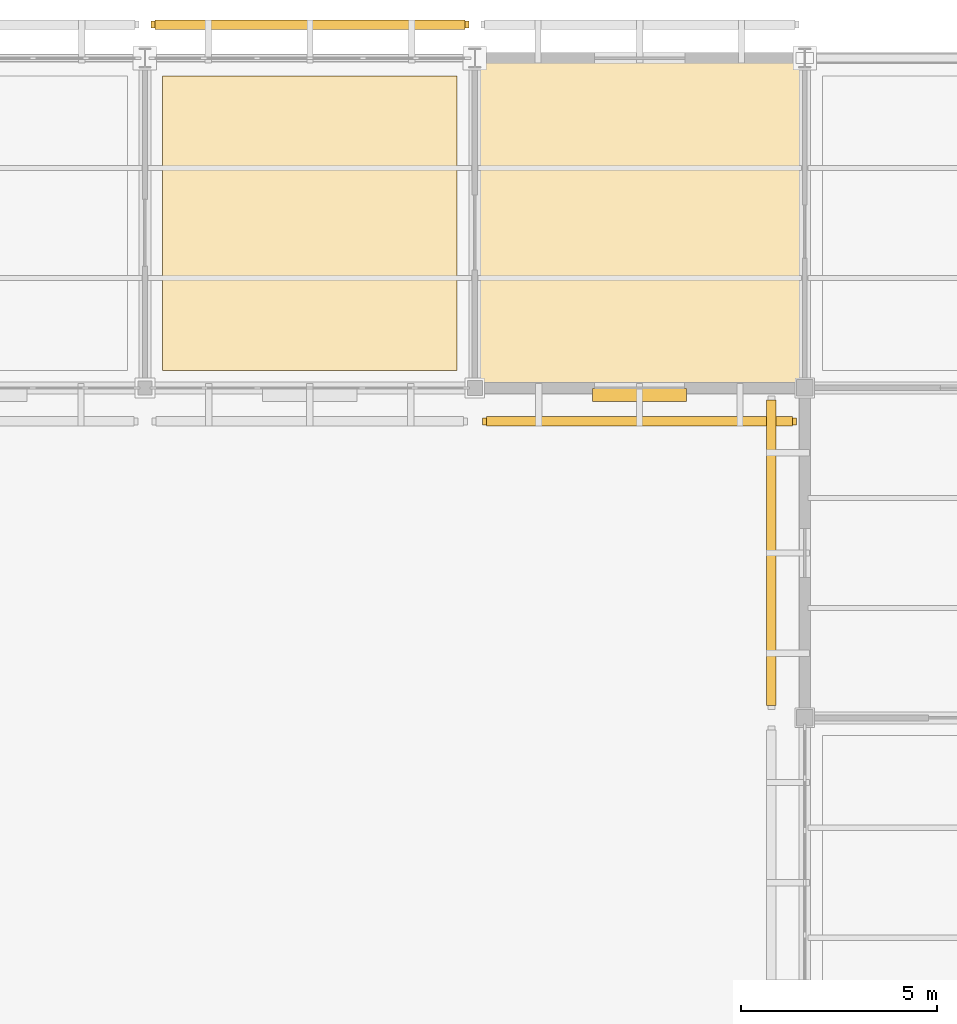
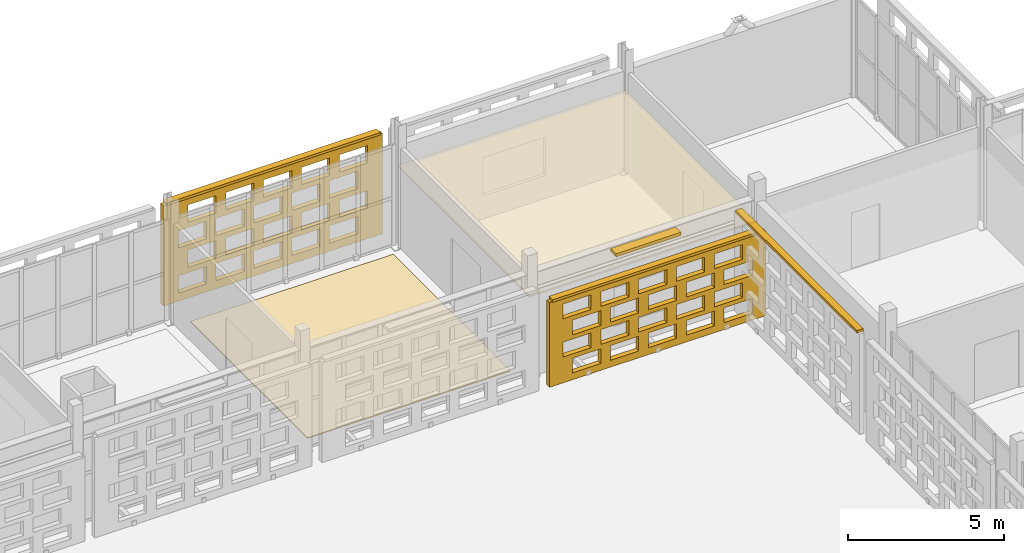
# One storey, part 181 of 203: 4 coverings, 4 shading devices, 40 openings.
"""IFC4 building model written with IfcOpenShell, lengths in metres."""

from ifc_helpers import new_model, si_unit, direction, frame, frame_2d, origin, origin_2d, place, context, subcontext, project, spatial, rectangle, extrude, material, layer, layer_set, type_object, element, save


model = new_model("IFC4")

# Units and contexts
model_context = context("Model", 3, precision=1e-05, world=origin(), true_north=direction((0.0, 1.0)))
body_context = subcontext(model_context, "Body", "Model", "MODEL_VIEW")
ifc_project = project(units=[si_unit("LENGTHUNIT", "METRE"), si_unit("AREAUNIT", "SQUARE_METRE"), si_unit("VOLUMEUNIT", "CUBIC_METRE"), si_unit("PLANEANGLEUNIT", "RADIAN"), si_unit("MASSUNIT", "GRAM", prefix="KILO")], contexts=[model_context])

# Site, building, storey
site_placement = place(None, origin())
site = spatial("IfcSite", under=ifc_project, at=site_placement, CompositionType="ELEMENT")
building_placement = place(site_placement, origin())
building = spatial("IfcBuilding", under=site, at=building_placement, Name="Varnapada Polytechnic", CompositionType="ELEMENT")
storey_placement = place(building_placement, frame((0.0, 0.0, 4.800048828125)))
storey = spatial("IfcBuildingStorey", under=building, at=storey_placement, Name="L01", CompositionType="ELEMENT", Elevation=4.800048828125)

# Covering
ifc_material_1 = material(Name="Acoustic Rubber Seminar Flooring")
ifc_layer_1 = layer(ifc_material_1, 0.0400390625)
ifc_layer_set_1 = layer_set([ifc_layer_1], Name="Acoustic Rubber Seminar Flooring")
covering_type_1 = type_object("IfcCoveringType", Name="Floor Finish FLR-06", PredefinedType="FLOORING", material=ifc_layer_set_1)
covering_1_placement = place(storey_placement, frame((113.39990234375, 121.800048828125, 0.0), z_axis=(0.0, 0.0, 1.0), x_axis=(1.0, 0.0, 0.0)))
element("IfcCovering", 1, at=covering_1_placement, inside=storey, type_object=covering_type_1, Name="L01 floor finish panel (14,15)", PredefinedType="FLOORING", context=body_context, shape_type="SweptSolid", body=[
    extrude(rectangle(XDim=7.5, YDim=7.5, at=origin_2d()), origin(), (0.0, 0.0, 1.0), 0.0400390625),
])

# Shading device
ifc_material_2 = material(Name="Anodised aluminium", Category="aluminium")
ifc_layer_2 = layer(ifc_material_2, 0.35009765625)
ifc_layer_set_2 = layer_set([ifc_layer_2], Name="Anodised aluminium")
shading_device_type_1 = type_object("IfcShadingDeviceType", Name="Solar Louvre LVR-01", PredefinedType="JALOUSIE", material=ifc_layer_set_2)
shading_device_1_placement = place(storey_placement, frame((121.7900390625, 117.419921875, 3.760009765625), z_axis=(0.0, 0.0, 1.0), x_axis=(-1.0, 0.0, 0.0)))
element("IfcShadingDevice", 2, at=shading_device_1_placement, inside=storey, type_object=shading_device_type_1, Name="L01 aluminium sun louvre 100", PredefinedType="JALOUSIE", context=body_context, shape_type="SweptSolid", body=[
    extrude(rectangle(XDim=2.39990234375, YDim=0.340087890625, at=origin_2d()), origin(), (0.0, 0.0, 1.0), 0.1201171875),
])

# Covering
ifc_material_3 = material(Name="Deep Acoustic Auditorium Cloud Baffle")
ifc_layer_3 = layer(ifc_material_3, 0.06494140625)
ifc_layer_set_3 = layer_set([ifc_layer_3], Name="Deep Acoustic Auditorium Cloud Baffle")
covering_type_2 = type_object("IfcCoveringType", Name="Suspended Ceiling CLG-07", PredefinedType="CEILING", material=ifc_layer_set_3)
covering_2_placement = place(storey_placement, frame((121.800048828125, 121.800048828125, 3.017578125), z_axis=(0.0, 0.0, 1.0), x_axis=(1.0, 0.0, 0.0)))
element("IfcCovering", 3, at=covering_2_placement, inside=storey, type_object=covering_type_2, Name="L01 suspended acoustic ceiling (15,15)", PredefinedType="CEILING", context=body_context, shape_type="SweptSolid", body=[
    extrude(rectangle(XDim=8.419921875, YDim=8.419921875, at=origin_2d()), origin(), (0.0, 0.0, 1.0), 0.06494140625),
])

# Covering, openings
ifc_material_4 = material(Name="Earth-toned architectural terracotta screen block", Category="masonry")
ifc_layer_4 = layer(ifc_material_4, 0.1201171875)
ifc_layer_set_4 = layer_set([ifc_layer_4], Name="Earth-toned architectural terracotta screen block")
covering_type_3 = type_object("IfcCoveringType", Name="Terracotta Screen Cladding CLD-01", PredefinedType="CLADDING", material=ifc_layer_set_4)
covering_3_placement = place(storey_placement, frame((109.35009765625, 126.85009765625, 0.0), z_axis=(0.0, 0.0, 1.0), x_axis=(1.0, 0.0, 0.0)))
covering_3 = element("IfcCovering", 4, at=covering_3_placement, inside=storey, type_object=covering_type_3, Name="L01 perforated terracotta block screen (95)", PredefinedType="CLADDING", context=body_context, shape_type="SweptSolid", body=[
    extrude(rectangle(XDim=8.099853515625, YDim=0.179931640625, at=frame_2d((4.0498046875, 0.0))), origin(), (0.0, 0.0, 1.0), 3.919921875),
])
opening_1_placement = place(covering_3_placement, frame((0.550048828125, 0.0, 0.313720703125)))
element("IfcOpeningElement", 5, at=opening_1_placement, cuts=covering_3, Name="Screen perforation TBS-L01-094.1", PredefinedType="OPENING", context=body_context, shape_type="SweptSolid", body=[
    extrude(rectangle(XDim=1.0400390625, YDim=0.679931640625, at=frame_2d((0.52001953125, 0.33984375))), frame((0.0, 0.099853515625, 0.0), z_axis=(0.0, -1.0, 0.0), x_axis=(1.0, 0.0, 0.0)), (0.0, 0.0, 1.0), 0.199951171875),
])
opening_2_placement = place(covering_3_placement, frame((1.949951171875, 0.0, 0.313720703125)))
element("IfcOpeningElement", 6, at=opening_2_placement, cuts=covering_3, Name="Screen perforation TBS-L01-094.2", PredefinedType="OPENING", context=body_context, shape_type="SweptSolid", body=[
    extrude(rectangle(XDim=1.0400390625, YDim=0.679931640625, at=frame_2d((0.52001953125, 0.33984375))), frame((0.0, 0.099853515625, 0.0), z_axis=(0.0, -1.0, 0.0), x_axis=(1.0, 0.0, 0.0)), (0.0, 0.0, 1.0), 0.199951171875),
])
opening_3_placement = place(covering_3_placement, frame((3.35009765625, 0.0, 0.313720703125)))
element("IfcOpeningElement", 7, at=opening_3_placement, cuts=covering_3, Name="Screen perforation TBS-L01-094.3", PredefinedType="OPENING", context=body_context, shape_type="SweptSolid", body=[
    extrude(rectangle(XDim=1.0400390625, YDim=0.679931640625, at=frame_2d((0.52001953125, 0.33984375))), frame((0.0, 0.099853515625, 0.0), z_axis=(0.0, -1.0, 0.0), x_axis=(1.0, 0.0, 0.0)), (0.0, 0.0, 1.0), 0.199951171875),
])
opening_4_placement = place(covering_3_placement, frame((4.75, 0.0, 0.313720703125)))
element("IfcOpeningElement", 8, at=opening_4_placement, cuts=covering_3, Name="Screen perforation TBS-L01-094.4", PredefinedType="OPENING", context=body_context, shape_type="SweptSolid", body=[
    extrude(rectangle(XDim=1.0400390625, YDim=0.679931640625, at=frame_2d((0.52001953125, 0.33984375))), frame((0.0, 0.099853515625, 0.0), z_axis=(0.0, -1.0, 0.0), x_axis=(1.0, 0.0, 0.0)), (0.0, 0.0, 1.0), 0.199951171875),
])
opening_5_placement = place(covering_3_placement, frame((6.14990234375, 0.0, 0.313720703125)))
element("IfcOpeningElement", 9, at=opening_5_placement, cuts=covering_3, Name="Screen perforation TBS-L01-094.5", PredefinedType="OPENING", context=body_context, shape_type="SweptSolid", body=[
    extrude(rectangle(XDim=1.0400390625, YDim=0.679931640625, at=frame_2d((0.52001953125, 0.33984375))), frame((0.0, 0.099853515625, 0.0), z_axis=(0.0, -1.0, 0.0), x_axis=(1.0, 0.0, 0.0)), (0.0, 0.0, 1.0), 0.199951171875),
])
opening_6_placement = place(covering_3_placement, frame((0.909912109375, 0.0, 1.195556640625)))
element("IfcOpeningElement", 10, at=opening_6_placement, cuts=covering_3, Name="Screen perforation TBS-L01-094.6", PredefinedType="OPENING", context=body_context, shape_type="SweptSolid", body=[
    extrude(rectangle(XDim=1.0400390625, YDim=0.679931640625, at=frame_2d((0.52001953125, 0.33984375))), frame((0.0, 0.099853515625, 0.0), z_axis=(0.0, -1.0, 0.0), x_axis=(1.0, 0.0, 0.0)), (0.0, 0.0, 1.0), 0.199951171875),
])
opening_7_placement = place(covering_3_placement, frame((2.31005859375, 0.0, 1.195556640625)))
element("IfcOpeningElement", 11, at=opening_7_placement, cuts=covering_3, Name="Screen perforation TBS-L01-094.7", PredefinedType="OPENING", context=body_context, shape_type="SweptSolid", body=[
    extrude(rectangle(XDim=1.0400390625, YDim=0.679931640625, at=frame_2d((0.52001953125, 0.33984375))), frame((0.0, 0.099853515625, 0.0), z_axis=(0.0, -1.0, 0.0), x_axis=(1.0, 0.0, 0.0)), (0.0, 0.0, 1.0), 0.199951171875),
])
opening_8_placement = place(covering_3_placement, frame((3.7099609375, 0.0, 1.195556640625)))
element("IfcOpeningElement", 12, at=opening_8_placement, cuts=covering_3, Name="Screen perforation TBS-L01-094.8", PredefinedType="OPENING", context=body_context, shape_type="SweptSolid", body=[
    extrude(rectangle(XDim=1.0400390625, YDim=0.679931640625, at=frame_2d((0.52001953125, 0.33984375))), frame((0.0, 0.099853515625, 0.0), z_axis=(0.0, -1.0, 0.0), x_axis=(1.0, 0.0, 0.0)), (0.0, 0.0, 1.0), 0.199951171875),
])
opening_9_placement = place(covering_3_placement, frame((5.110107421875, 0.0, 1.195556640625)))
element("IfcOpeningElement", 13, at=opening_9_placement, cuts=covering_3, Name="Screen perforation TBS-L01-094.9", PredefinedType="OPENING", context=body_context, shape_type="SweptSolid", body=[
    extrude(rectangle(XDim=1.0400390625, YDim=0.679931640625, at=frame_2d((0.52001953125, 0.33984375))), frame((0.0, 0.099853515625, 0.0), z_axis=(0.0, -1.0, 0.0), x_axis=(1.0, 0.0, 0.0)), (0.0, 0.0, 1.0), 0.199951171875),
])
opening_10_placement = place(covering_3_placement, frame((6.510009765625, 0.0, 1.195556640625)))
element("IfcOpeningElement", 14, at=opening_10_placement, cuts=covering_3, Name="Screen perforation TBS-L01-094.10", PredefinedType="OPENING", context=body_context, shape_type="SweptSolid", body=[
    extrude(rectangle(XDim=1.0400390625, YDim=0.679931640625, at=frame_2d((0.52001953125, 0.33984375))), frame((0.0, 0.099853515625, 0.0), z_axis=(0.0, -1.0, 0.0), x_axis=(1.0, 0.0, 0.0)), (0.0, 0.0, 1.0), 0.199951171875),
])
opening_11_placement = place(covering_3_placement, frame((0.550048828125, 0.0, 2.07763671875)))
element("IfcOpeningElement", 15, at=opening_11_placement, cuts=covering_3, Name="Screen perforation TBS-L01-094.11", PredefinedType="OPENING", context=body_context, shape_type="SweptSolid", body=[
    extrude(rectangle(XDim=1.0400390625, YDim=0.679931640625, at=frame_2d((0.52001953125, 0.33984375))), frame((0.0, 0.099853515625, 0.0), z_axis=(0.0, -1.0, 0.0), x_axis=(1.0, 0.0, 0.0)), (0.0, 0.0, 1.0), 0.199951171875),
])
opening_12_placement = place(covering_3_placement, frame((1.949951171875, 0.0, 2.07763671875)))
element("IfcOpeningElement", 16, at=opening_12_placement, cuts=covering_3, Name="Screen perforation TBS-L01-094.12", PredefinedType="OPENING", context=body_context, shape_type="SweptSolid", body=[
    extrude(rectangle(XDim=1.0400390625, YDim=0.679931640625, at=frame_2d((0.52001953125, 0.33984375))), frame((0.0, 0.099853515625, 0.0), z_axis=(0.0, -1.0, 0.0), x_axis=(1.0, 0.0, 0.0)), (0.0, 0.0, 1.0), 0.199951171875),
])
opening_13_placement = place(covering_3_placement, frame((3.35009765625, 0.0, 2.07763671875)))
element("IfcOpeningElement", 17, at=opening_13_placement, cuts=covering_3, Name="Screen perforation TBS-L01-094.13", PredefinedType="OPENING", context=body_context, shape_type="SweptSolid", body=[
    extrude(rectangle(XDim=1.0400390625, YDim=0.679931640625, at=frame_2d((0.52001953125, 0.33984375))), frame((0.0, 0.099853515625, 0.0), z_axis=(0.0, -1.0, 0.0), x_axis=(1.0, 0.0, 0.0)), (0.0, 0.0, 1.0), 0.199951171875),
])
opening_14_placement = place(covering_3_placement, frame((4.75, 0.0, 2.07763671875)))
element("IfcOpeningElement", 18, at=opening_14_placement, cuts=covering_3, Name="Screen perforation TBS-L01-094.14", PredefinedType="OPENING", context=body_context, shape_type="SweptSolid", body=[
    extrude(rectangle(XDim=1.0400390625, YDim=0.679931640625, at=frame_2d((0.52001953125, 0.33984375))), frame((0.0, 0.099853515625, 0.0), z_axis=(0.0, -1.0, 0.0), x_axis=(1.0, 0.0, 0.0)), (0.0, 0.0, 1.0), 0.199951171875),
])
opening_15_placement = place(covering_3_placement, frame((6.14990234375, 0.0, 2.07763671875)))
element("IfcOpeningElement", 19, at=opening_15_placement, cuts=covering_3, Name="Screen perforation TBS-L01-094.15", PredefinedType="OPENING", context=body_context, shape_type="SweptSolid", body=[
    extrude(rectangle(XDim=1.0400390625, YDim=0.679931640625, at=frame_2d((0.52001953125, 0.33984375))), frame((0.0, 0.099853515625, 0.0), z_axis=(0.0, -1.0, 0.0), x_axis=(1.0, 0.0, 0.0)), (0.0, 0.0, 1.0), 0.199951171875),
])
opening_16_placement = place(covering_3_placement, frame((0.909912109375, 0.0, 2.959716796875)))
element("IfcOpeningElement", 20, at=opening_16_placement, cuts=covering_3, Name="Screen perforation TBS-L01-094.16", PredefinedType="OPENING", context=body_context, shape_type="SweptSolid", body=[
    extrude(rectangle(XDim=1.0400390625, YDim=0.679931640625, at=frame_2d((0.52001953125, 0.33984375))), frame((0.0, 0.099853515625, 0.0), z_axis=(0.0, -1.0, 0.0), x_axis=(1.0, 0.0, 0.0)), (0.0, 0.0, 1.0), 0.199951171875),
])
opening_17_placement = place(covering_3_placement, frame((2.31005859375, 0.0, 2.959716796875)))
element("IfcOpeningElement", 21, at=opening_17_placement, cuts=covering_3, Name="Screen perforation TBS-L01-094.17", PredefinedType="OPENING", context=body_context, shape_type="SweptSolid", body=[
    extrude(rectangle(XDim=1.0400390625, YDim=0.679931640625, at=frame_2d((0.52001953125, 0.33984375))), frame((0.0, 0.099853515625, 0.0), z_axis=(0.0, -1.0, 0.0), x_axis=(1.0, 0.0, 0.0)), (0.0, 0.0, 1.0), 0.199951171875),
])
opening_18_placement = place(covering_3_placement, frame((3.7099609375, 0.0, 2.959716796875)))
element("IfcOpeningElement", 22, at=opening_18_placement, cuts=covering_3, Name="Screen perforation TBS-L01-094.18", PredefinedType="OPENING", context=body_context, shape_type="SweptSolid", body=[
    extrude(rectangle(XDim=1.0400390625, YDim=0.679931640625, at=frame_2d((0.52001953125, 0.33984375))), frame((0.0, 0.099853515625, 0.0), z_axis=(0.0, -1.0, 0.0), x_axis=(1.0, 0.0, 0.0)), (0.0, 0.0, 1.0), 0.199951171875),
])
opening_19_placement = place(covering_3_placement, frame((5.110107421875, 0.0, 2.959716796875)))
element("IfcOpeningElement", 23, at=opening_19_placement, cuts=covering_3, Name="Screen perforation TBS-L01-094.19", PredefinedType="OPENING", context=body_context, shape_type="SweptSolid", body=[
    extrude(rectangle(XDim=1.0400390625, YDim=0.679931640625, at=frame_2d((0.52001953125, 0.33984375))), frame((0.0, 0.099853515625, 0.0), z_axis=(0.0, -1.0, 0.0), x_axis=(1.0, 0.0, 0.0)), (0.0, 0.0, 1.0), 0.199951171875),
])
opening_20_placement = place(covering_3_placement, frame((6.510009765625, 0.0, 2.959716796875)))
element("IfcOpeningElement", 24, at=opening_20_placement, cuts=covering_3, Name="Screen perforation TBS-L01-094.20", PredefinedType="OPENING", context=body_context, shape_type="SweptSolid", body=[
    extrude(rectangle(XDim=1.0400390625, YDim=0.679931640625, at=frame_2d((0.52001953125, 0.33984375))), frame((0.0, 0.099853515625, 0.0), z_axis=(0.0, -1.0, 0.0), x_axis=(1.0, 0.0, 0.0)), (0.0, 0.0, 1.0), 0.199951171875),
])

covering_4_placement = place(storey_placement, frame((125.7900390625, 116.75, 0.0), z_axis=(0.0, 0.0, 1.0), x_axis=(-1.0, 0.0, 0.0)))
covering_4 = element("IfcCovering", 25, at=covering_4_placement, inside=storey, type_object=covering_type_3, Name="L01 perforated terracotta block screen (100)", PredefinedType="CLADDING", context=body_context, shape_type="SweptSolid", body=[
    extrude(rectangle(XDim=8.0, YDim=0.179931640625, at=frame_2d((4.0, 0.0))), origin(), (0.0, 0.0, 1.0), 3.31005859375),
])
opening_21_placement = place(covering_4_placement, frame((0.5, 0.0, 0.264892578125)))
element("IfcOpeningElement", 26, at=opening_21_placement, cuts=covering_4, Name="Screen perforation TBS-L01-099.1", PredefinedType="OPENING", context=body_context, shape_type="SweptSolid", body=[
    extrude(rectangle(XDim=1.0400390625, YDim=0.5791015625, at=frame_2d((0.52001953125, 0.28955078125))), frame((0.0, 0.099853515625, 0.0), z_axis=(0.0, -1.0, 0.0), x_axis=(1.0, 0.0, 0.0)), (0.0, 0.0, 1.0), 0.199951171875),
])
opening_22_placement = place(covering_4_placement, frame((1.89990234375, 0.0, 0.264892578125)))
element("IfcOpeningElement", 27, at=opening_22_placement, cuts=covering_4, Name="Screen perforation TBS-L01-099.2", PredefinedType="OPENING", context=body_context, shape_type="SweptSolid", body=[
    extrude(rectangle(XDim=1.0400390625, YDim=0.5791015625, at=frame_2d((0.52001953125, 0.28955078125))), frame((0.0, 0.099853515625, 0.0), z_axis=(0.0, -1.0, 0.0), x_axis=(1.0, 0.0, 0.0)), (0.0, 0.0, 1.0), 0.199951171875),
])
opening_23_placement = place(covering_4_placement, frame((3.300048828125, 0.0, 0.264892578125)))
element("IfcOpeningElement", 28, at=opening_23_placement, cuts=covering_4, Name="Screen perforation TBS-L01-099.3", PredefinedType="OPENING", context=body_context, shape_type="SweptSolid", body=[
    extrude(rectangle(XDim=1.0400390625, YDim=0.5791015625, at=frame_2d((0.52001953125, 0.28955078125))), frame((0.0, 0.099853515625, 0.0), z_axis=(0.0, -1.0, 0.0), x_axis=(1.0, 0.0, 0.0)), (0.0, 0.0, 1.0), 0.199951171875),
])
opening_24_placement = place(covering_4_placement, frame((4.699951171875, 0.0, 0.264892578125)))
element("IfcOpeningElement", 29, at=opening_24_placement, cuts=covering_4, Name="Screen perforation TBS-L01-099.4", PredefinedType="OPENING", context=body_context, shape_type="SweptSolid", body=[
    extrude(rectangle(XDim=1.0400390625, YDim=0.5791015625, at=frame_2d((0.52001953125, 0.28955078125))), frame((0.0, 0.099853515625, 0.0), z_axis=(0.0, -1.0, 0.0), x_axis=(1.0, 0.0, 0.0)), (0.0, 0.0, 1.0), 0.199951171875),
])
opening_25_placement = place(covering_4_placement, frame((6.10009765625, 0.0, 0.264892578125)))
element("IfcOpeningElement", 30, at=opening_25_placement, cuts=covering_4, Name="Screen perforation TBS-L01-099.5", PredefinedType="OPENING", context=body_context, shape_type="SweptSolid", body=[
    extrude(rectangle(XDim=1.0400390625, YDim=0.5791015625, at=frame_2d((0.52001953125, 0.28955078125))), frame((0.0, 0.099853515625, 0.0), z_axis=(0.0, -1.0, 0.0), x_axis=(1.0, 0.0, 0.0)), (0.0, 0.0, 1.0), 0.199951171875),
])
opening_26_placement = place(covering_4_placement, frame((0.860107421875, 0.0, 1.009521484375)))
element("IfcOpeningElement", 31, at=opening_26_placement, cuts=covering_4, Name="Screen perforation TBS-L01-099.6", PredefinedType="OPENING", context=body_context, shape_type="SweptSolid", body=[
    extrude(rectangle(XDim=1.0400390625, YDim=0.5791015625, at=frame_2d((0.52001953125, 0.28955078125))), frame((0.0, 0.099853515625, 0.0), z_axis=(0.0, -1.0, 0.0), x_axis=(1.0, 0.0, 0.0)), (0.0, 0.0, 1.0), 0.199951171875),
])
opening_27_placement = place(covering_4_placement, frame((2.260009765625, 0.0, 1.009521484375)))
element("IfcOpeningElement", 32, at=opening_27_placement, cuts=covering_4, Name="Screen perforation TBS-L01-099.7", PredefinedType="OPENING", context=body_context, shape_type="SweptSolid", body=[
    extrude(rectangle(XDim=1.0400390625, YDim=0.5791015625, at=frame_2d((0.52001953125, 0.28955078125))), frame((0.0, 0.099853515625, 0.0), z_axis=(0.0, -1.0, 0.0), x_axis=(1.0, 0.0, 0.0)), (0.0, 0.0, 1.0), 0.199951171875),
])
opening_28_placement = place(covering_4_placement, frame((3.659912109375, 0.0, 1.009521484375)))
element("IfcOpeningElement", 33, at=opening_28_placement, cuts=covering_4, Name="Screen perforation TBS-L01-099.8", PredefinedType="OPENING", context=body_context, shape_type="SweptSolid", body=[
    extrude(rectangle(XDim=1.0400390625, YDim=0.5791015625, at=frame_2d((0.52001953125, 0.28955078125))), frame((0.0, 0.099853515625, 0.0), z_axis=(0.0, -1.0, 0.0), x_axis=(1.0, 0.0, 0.0)), (0.0, 0.0, 1.0), 0.199951171875),
])
opening_29_placement = place(covering_4_placement, frame((5.06005859375, 0.0, 1.009521484375)))
element("IfcOpeningElement", 34, at=opening_29_placement, cuts=covering_4, Name="Screen perforation TBS-L01-099.9", PredefinedType="OPENING", context=body_context, shape_type="SweptSolid", body=[
    extrude(rectangle(XDim=1.0400390625, YDim=0.5791015625, at=frame_2d((0.52001953125, 0.28955078125))), frame((0.0, 0.099853515625, 0.0), z_axis=(0.0, -1.0, 0.0), x_axis=(1.0, 0.0, 0.0)), (0.0, 0.0, 1.0), 0.199951171875),
])
opening_30_placement = place(covering_4_placement, frame((6.4599609375, 0.0, 1.009521484375)))
element("IfcOpeningElement", 35, at=opening_30_placement, cuts=covering_4, Name="Screen perforation TBS-L01-099.10", PredefinedType="OPENING", context=body_context, shape_type="SweptSolid", body=[
    extrude(rectangle(XDim=1.0400390625, YDim=0.5791015625, at=frame_2d((0.52001953125, 0.28955078125))), frame((0.0, 0.099853515625, 0.0), z_axis=(0.0, -1.0, 0.0), x_axis=(1.0, 0.0, 0.0)), (0.0, 0.0, 1.0), 0.199951171875),
])
opening_31_placement = place(covering_4_placement, frame((0.5, 0.0, 1.75439453125)))
element("IfcOpeningElement", 36, at=opening_31_placement, cuts=covering_4, Name="Screen perforation TBS-L01-099.11", PredefinedType="OPENING", context=body_context, shape_type="SweptSolid", body=[
    extrude(rectangle(XDim=1.0400390625, YDim=0.5791015625, at=frame_2d((0.52001953125, 0.28955078125))), frame((0.0, 0.099853515625, 0.0), z_axis=(0.0, -1.0, 0.0), x_axis=(1.0, 0.0, 0.0)), (0.0, 0.0, 1.0), 0.199951171875),
])
opening_32_placement = place(covering_4_placement, frame((1.89990234375, 0.0, 1.75439453125)))
element("IfcOpeningElement", 37, at=opening_32_placement, cuts=covering_4, Name="Screen perforation TBS-L01-099.12", PredefinedType="OPENING", context=body_context, shape_type="SweptSolid", body=[
    extrude(rectangle(XDim=1.0400390625, YDim=0.5791015625, at=frame_2d((0.52001953125, 0.28955078125))), frame((0.0, 0.099853515625, 0.0), z_axis=(0.0, -1.0, 0.0), x_axis=(1.0, 0.0, 0.0)), (0.0, 0.0, 1.0), 0.199951171875),
])
opening_33_placement = place(covering_4_placement, frame((3.300048828125, 0.0, 1.75439453125)))
element("IfcOpeningElement", 38, at=opening_33_placement, cuts=covering_4, Name="Screen perforation TBS-L01-099.13", PredefinedType="OPENING", context=body_context, shape_type="SweptSolid", body=[
    extrude(rectangle(XDim=1.0400390625, YDim=0.5791015625, at=frame_2d((0.52001953125, 0.28955078125))), frame((0.0, 0.099853515625, 0.0), z_axis=(0.0, -1.0, 0.0), x_axis=(1.0, 0.0, 0.0)), (0.0, 0.0, 1.0), 0.199951171875),
])
opening_34_placement = place(covering_4_placement, frame((4.699951171875, 0.0, 1.75439453125)))
element("IfcOpeningElement", 39, at=opening_34_placement, cuts=covering_4, Name="Screen perforation TBS-L01-099.14", PredefinedType="OPENING", context=body_context, shape_type="SweptSolid", body=[
    extrude(rectangle(XDim=1.0400390625, YDim=0.5791015625, at=frame_2d((0.52001953125, 0.28955078125))), frame((0.0, 0.099853515625, 0.0), z_axis=(0.0, -1.0, 0.0), x_axis=(1.0, 0.0, 0.0)), (0.0, 0.0, 1.0), 0.199951171875),
])
opening_35_placement = place(covering_4_placement, frame((6.10009765625, 0.0, 1.75439453125)))
element("IfcOpeningElement", 40, at=opening_35_placement, cuts=covering_4, Name="Screen perforation TBS-L01-099.15", PredefinedType="OPENING", context=body_context, shape_type="SweptSolid", body=[
    extrude(rectangle(XDim=1.0400390625, YDim=0.5791015625, at=frame_2d((0.52001953125, 0.28955078125))), frame((0.0, 0.099853515625, 0.0), z_axis=(0.0, -1.0, 0.0), x_axis=(1.0, 0.0, 0.0)), (0.0, 0.0, 1.0), 0.199951171875),
])
opening_36_placement = place(covering_4_placement, frame((0.860107421875, 0.0, 2.4990234375)))
element("IfcOpeningElement", 41, at=opening_36_placement, cuts=covering_4, Name="Screen perforation TBS-L01-099.16", PredefinedType="OPENING", context=body_context, shape_type="SweptSolid", body=[
    extrude(rectangle(XDim=1.0400390625, YDim=0.5791015625, at=frame_2d((0.52001953125, 0.28955078125))), frame((0.0, 0.099853515625, 0.0), z_axis=(0.0, -1.0, 0.0), x_axis=(1.0, 0.0, 0.0)), (0.0, 0.0, 1.0), 0.199951171875),
])
opening_37_placement = place(covering_4_placement, frame((2.260009765625, 0.0, 2.4990234375)))
element("IfcOpeningElement", 42, at=opening_37_placement, cuts=covering_4, Name="Screen perforation TBS-L01-099.17", PredefinedType="OPENING", context=body_context, shape_type="SweptSolid", body=[
    extrude(rectangle(XDim=1.0400390625, YDim=0.5791015625, at=frame_2d((0.52001953125, 0.28955078125))), frame((0.0, 0.099853515625, 0.0), z_axis=(0.0, -1.0, 0.0), x_axis=(1.0, 0.0, 0.0)), (0.0, 0.0, 1.0), 0.199951171875),
])
opening_38_placement = place(covering_4_placement, frame((3.659912109375, 0.0, 2.4990234375)))
element("IfcOpeningElement", 43, at=opening_38_placement, cuts=covering_4, Name="Screen perforation TBS-L01-099.18", PredefinedType="OPENING", context=body_context, shape_type="SweptSolid", body=[
    extrude(rectangle(XDim=1.0400390625, YDim=0.5791015625, at=frame_2d((0.52001953125, 0.28955078125))), frame((0.0, 0.099853515625, 0.0), z_axis=(0.0, -1.0, 0.0), x_axis=(1.0, 0.0, 0.0)), (0.0, 0.0, 1.0), 0.199951171875),
])
opening_39_placement = place(covering_4_placement, frame((5.06005859375, 0.0, 2.4990234375)))
element("IfcOpeningElement", 44, at=opening_39_placement, cuts=covering_4, Name="Screen perforation TBS-L01-099.19", PredefinedType="OPENING", context=body_context, shape_type="SweptSolid", body=[
    extrude(rectangle(XDim=1.0400390625, YDim=0.5791015625, at=frame_2d((0.52001953125, 0.28955078125))), frame((0.0, 0.099853515625, 0.0), z_axis=(0.0, -1.0, 0.0), x_axis=(1.0, 0.0, 0.0)), (0.0, 0.0, 1.0), 0.199951171875),
])
opening_40_placement = place(covering_4_placement, frame((6.4599609375, 0.0, 2.4990234375)))
element("IfcOpeningElement", 45, at=opening_40_placement, cuts=covering_4, Name="Screen perforation TBS-L01-099.20", PredefinedType="OPENING", context=body_context, shape_type="SweptSolid", body=[
    extrude(rectangle(XDim=1.0400390625, YDim=0.5791015625, at=frame_2d((0.52001953125, 0.28955078125))), frame((0.0, 0.099853515625, 0.0), z_axis=(0.0, -1.0, 0.0), x_axis=(1.0, 0.0, 0.0)), (0.0, 0.0, 1.0), 0.199951171875),
])

# Shading devices
ifc_layer_5 = layer(ifc_material_4, 0.179931640625)
ifc_layer_set_5 = layer_set([ifc_layer_5], Name="Earth-toned architectural terracotta screen block")
shading_device_type_2 = type_object("IfcShadingDeviceType", Name="Terracotta Screen SCR-02", PredefinedType="USERDEFINED", material=ifc_layer_set_5)
shading_device_2_placement = place(storey_placement, frame((113.39990234375, 126.85009765625, 3.909912109375), z_axis=(0.0, 0.0, 1.0), x_axis=(1.0, 0.0, 0.0)))
element("IfcShadingDevice", 46, at=shading_device_2_placement, inside=storey, type_object=shading_device_type_2, Name="L01 perforated terracotta screen hood 174", ObjectType="SCREEN", PredefinedType="USERDEFINED", context=body_context, shape_type="SweptSolid", body=[
    extrude(rectangle(XDim=7.89990234375, YDim=0.239990234375, at=origin_2d()), origin(), (0.0, 0.0, 1.0), 0.10009765625),
])
shading_device_3_placement = place(storey_placement, frame((121.7900390625, 116.75, 3.2998046875), z_axis=(0.0, 0.0, 1.0), x_axis=(-1.0, 0.0, 0.0)))
element("IfcShadingDevice", 47, at=shading_device_3_placement, inside=storey, type_object=shading_device_type_2, Name="L01 perforated terracotta screen hood 179", ObjectType="SCREEN", PredefinedType="USERDEFINED", context=body_context, shape_type="SweptSolid", body=[
    extrude(rectangle(XDim=7.800048828125, YDim=0.239990234375, at=origin_2d()), origin(), (0.0, 0.0, 1.0), 0.10009765625),
])
shading_device_4_placement = place(storey_placement, frame((125.14990234375, 113.39990234375, 3.909912109375), z_axis=(0.0, 0.0, 1.0), x_axis=(0.0, 1.0, 0.0)))
element("IfcShadingDevice", 48, at=shading_device_4_placement, inside=storey, type_object=shading_device_type_2, Name="L01 perforated terracotta screen hood 189", ObjectType="SCREEN", PredefinedType="USERDEFINED", context=body_context, shape_type="SweptSolid", body=[
    extrude(rectangle(XDim=7.780029296875, YDim=0.239990234375, at=origin_2d()), origin(), (0.0, 0.0, 1.0), 0.10009765625),
])

save(model, "model.ifc")
